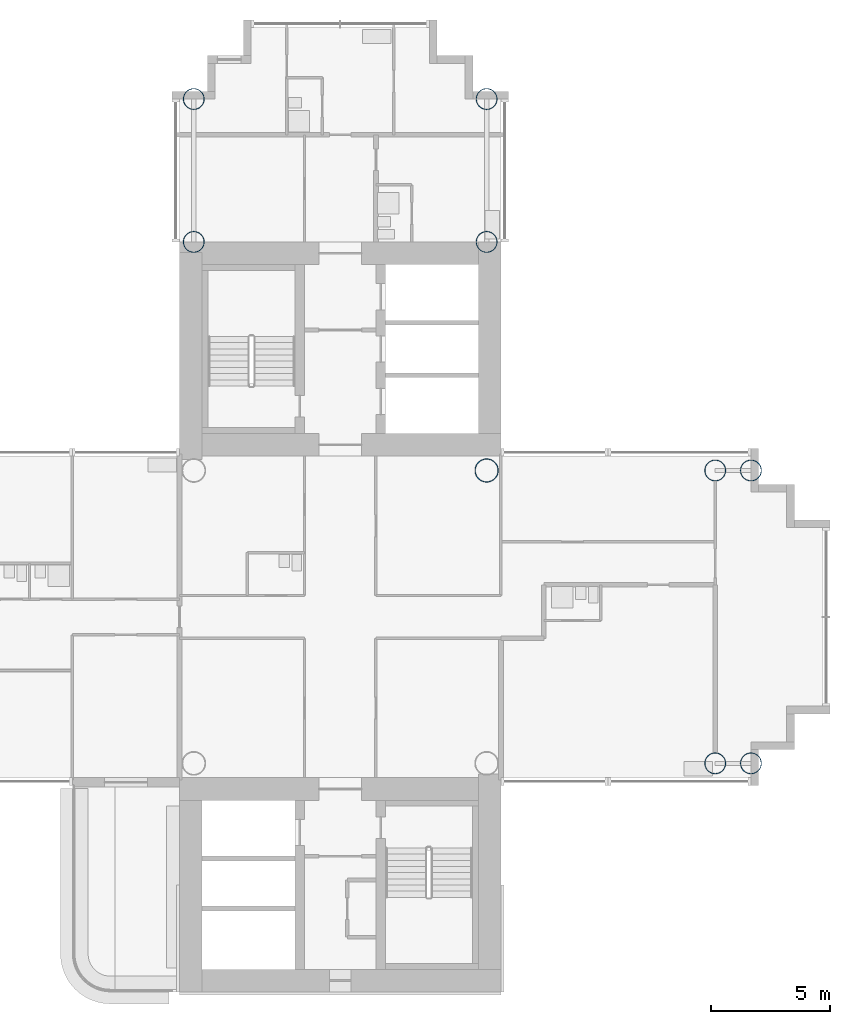
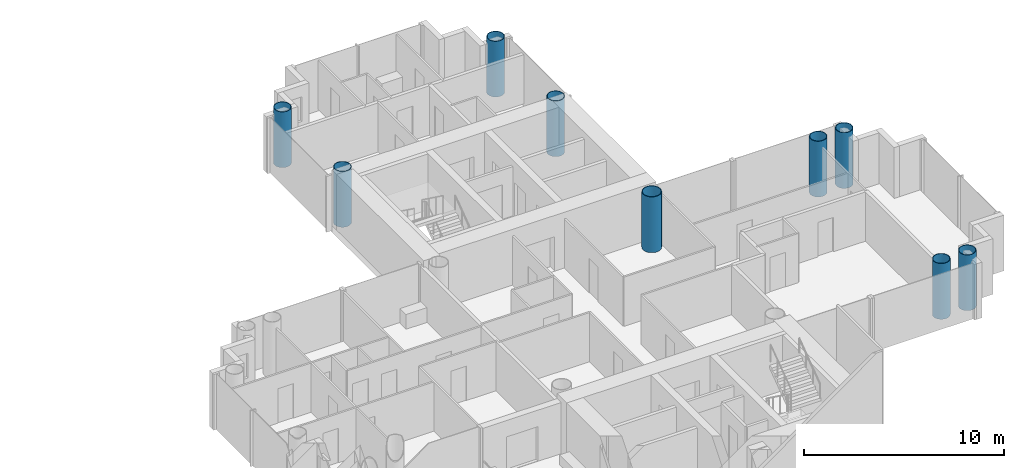
# One storey, part 2 of 22: 9 columns.
"""IFC4 building model written with IfcOpenShell, lengths in metres."""

from ifc_helpers import new_model, si_unit, direction, frame, origin, origin_2d, place, context, subcontext, project, spatial, hollow_circle, extrude, material, material_profile, profile_set, type_object, element, save


model = new_model("IFC4")

# Units and contexts
model_context = context("Model", 3, precision=1e-05, world=origin(), true_north=direction((0.0, 1.0)))
body_context = subcontext(model_context, "Body", "Model", "MODEL_VIEW")
ifc_project = project(units=[si_unit("LENGTHUNIT", "METRE"), si_unit("AREAUNIT", "SQUARE_METRE"), si_unit("VOLUMEUNIT", "CUBIC_METRE"), si_unit("PLANEANGLEUNIT", "RADIAN"), si_unit("MASSUNIT", "GRAM", prefix="KILO")], contexts=[model_context])

# Site, building, storey
site_placement = place(None, origin())
site = spatial("IfcSite", under=ifc_project, at=site_placement, CompositionType="ELEMENT")
building_placement = place(site_placement, origin())
building = spatial("IfcBuilding", under=site, at=building_placement, Name="Ipe Terrace Towers", CompositionType="ELEMENT")
storey_placement = place(building_placement, frame((0.0, 0.0, 110.60009765625)))
storey = spatial("IfcBuildingStorey", under=building, at=storey_placement, Name="L30", CompositionType="ELEMENT", Elevation=110.60009765625)

# Columns
ifc_material_1 = material(Name="Steel S355 tube with Concrete C60/75 fill", Category="concrete")
ifc_material_profile_1 = material_profile(ifc_material_1, hollow_circle(Radius=0.5, WallThickness=0.035888671875, at=origin_2d()), Name="CHS-1000x36")
ifc_profile_set_1 = profile_set([ifc_material_profile_1], Name="Steel S355 tube with Concrete C60/75 fill")
column_type_1 = type_object("IfcColumnType", Name="CH01 COLUMN CHS-1000x36", PredefinedType="COLUMN", material=ifc_profile_set_1)
column_placement = place(storey_placement, frame((42.14990234375, 6.14990234375, 0.0), z_axis=(0.0, 0.0, 1.0), x_axis=(1.0, 0.0, 0.0)))
element("IfcColumn", 1, at=column_placement, inside=storey, type_object=column_type_1, Name="Column T2-C-E02", PredefinedType="COLUMN", context=body_context, shape_type="SweptSolid", body=[
    extrude(hollow_circle(Radius=0.5, WallThickness=0.035888671875, at=origin_2d()), origin(), (0.0, 0.0, 1.0), 3.39990234375),
])
ifc_material_2 = material(Name="Steel S355 tube with Concrete C60/75 fill", Category="concrete")
ifc_material_profile_2 = material_profile(ifc_material_2, hollow_circle(Radius=0.449951171875, WallThickness=0.031982421875, at=origin_2d()), Name="CHS-900x32")
ifc_profile_set_2 = profile_set([ifc_material_profile_2], Name="Steel S355 tube with Concrete C60/75 fill")
column_type_2 = type_object("IfcColumnType", Name="CH10 COLUMN CHS-900x32", PredefinedType="COLUMN", material=ifc_profile_set_2)
for number, where, z_axis, x_axis, name in (
    (2, (42.14990234375, 15.75, 0.0), (0.0, 0.0, 1.0), (1.0, 0.0, 0.0), "Column T2-C-A01"),
    (3, (29.85009765625, 15.75, 0.0), (0.0, 0.0, 1.0), (1.0, 0.0, 0.0), "Column T2-C-A02"),
    (4, (42.14990234375, 21.75, 0.0), (0.0, 0.0, 1.0), (1.0, 0.0, 0.0), "Column T2-C-A03"),
    (5, (29.85009765625, 21.75, 0.0), (0.0, 0.0, 1.0), (1.0, 0.0, 0.0), "Column T2-C-A04"),
    (6, (51.75, -6.14990234375, 0.0), (0.0, 0.0, 1.0), (1.0, 0.0, 0.0), "Column T2-C-D03"),
    (7, (51.75, 6.14990234375, 0.0), (0.0, 0.0, 1.0), (1.0, 0.0, 0.0), "Column T2-C-D04"),
    (8, (53.25, -6.14990234375, 0.0), (0.0, 0.0, 1.0), (1.0, 0.0, 0.0), "Column T2-C-D05"),
    (9, (53.25, 6.14990234375, 0.0), (0.0, 0.0, 1.0), (1.0, 0.0, 0.0), "Column T2-C-D06"),
):
    element("IfcColumn", number, at=place(storey_placement, frame(where, z_axis=z_axis, x_axis=x_axis)), inside=storey, type_object=column_type_2, Name=name, PredefinedType="COLUMN", context=body_context, shape_type="SweptSolid", body=[
        extrude(hollow_circle(Radius=0.449951171875, WallThickness=0.031982421875, at=origin_2d()), origin(), (0.0, 0.0, 1.0), 3.39990234375),
    ])

save(model, "model.ifc")
